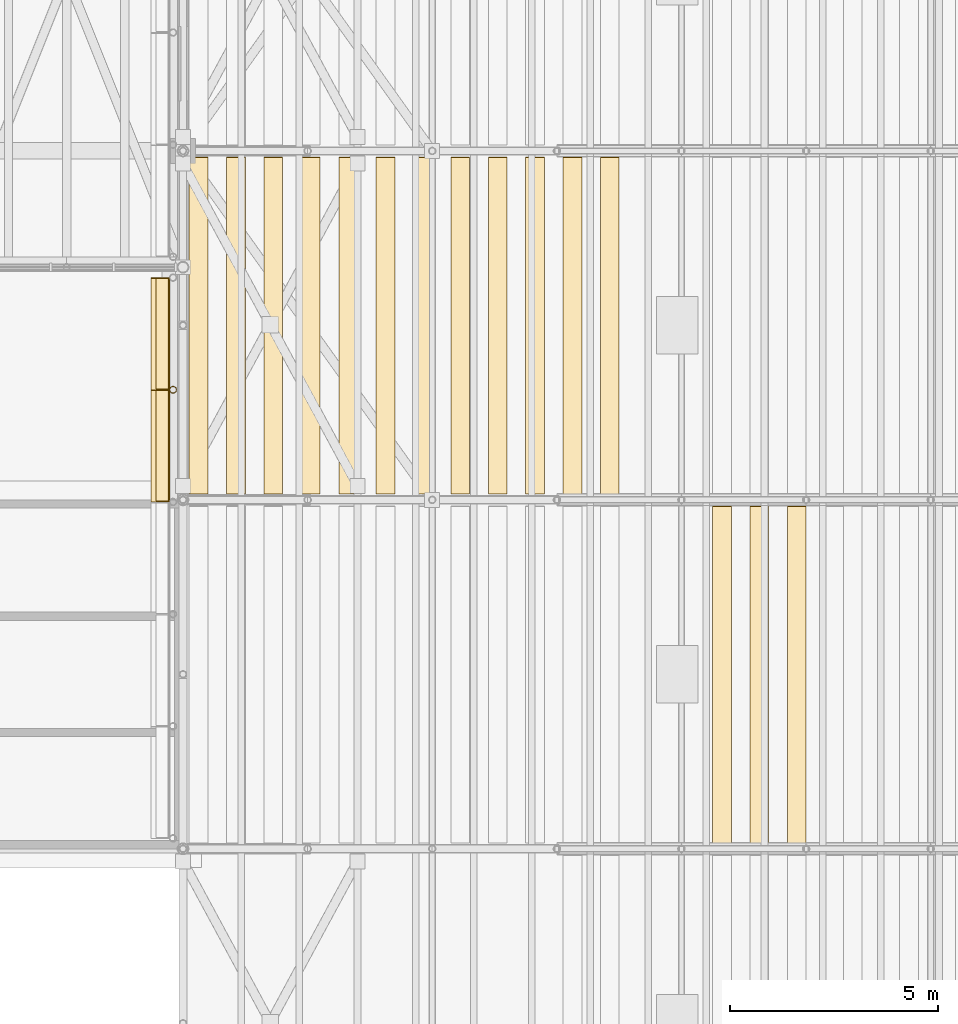
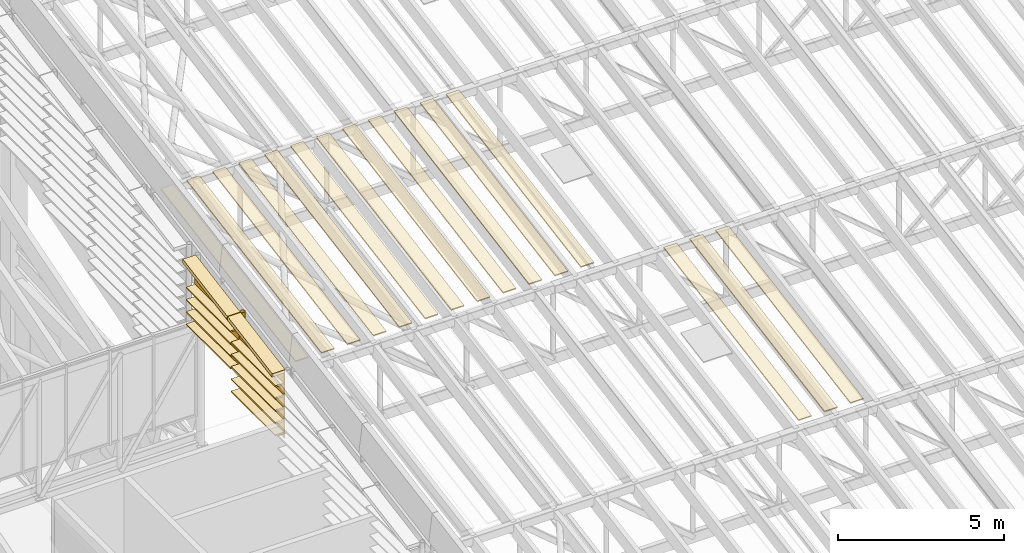
# One storey, part 79 of 91: 28 coverings, 1 shading device.
"""IFC4 building model written with IfcOpenShell, lengths in metres."""

from ifc_helpers import new_model, si_unit, direction, frame, origin, origin_2d, place, context, subcontext, project, spatial, polyline, rectangle, hollow_circle, outline, extrude, material, layer, layer_set, material_profile, profile_set, type_object, element, save


model = new_model("IFC4")

# Units and contexts
model_context = context("Model", 3, precision=1e-05, world=origin(), true_north=direction((0.0, 1.0)))
body_context = subcontext(model_context, "Body", "Model", "MODEL_VIEW")
ifc_project = project(units=[si_unit("LENGTHUNIT", "METRE"), si_unit("AREAUNIT", "SQUARE_METRE"), si_unit("VOLUMEUNIT", "CUBIC_METRE"), si_unit("PLANEANGLEUNIT", "RADIAN"), si_unit("MASSUNIT", "GRAM", prefix="KILO")], contexts=[model_context])

# Site, building, storey
site_placement = place(None, origin())
site = spatial("IfcSite", under=ifc_project, at=site_placement, CompositionType="ELEMENT")
building_placement = place(site_placement, origin())
building = spatial("IfcBuilding", under=site, at=building_placement, Name="Almond Square Museum", CompositionType="ELEMENT")
storey_placement = place(building_placement, frame((0.0, 0.0, 30.0)))
storey = spatial("IfcBuildingStorey", under=building, at=storey_placement, Name="L05", CompositionType="ELEMENT", Elevation=30.0)

# Coverings
ifc_material_1 = material(Name="Cedar timber roof board", Category="wood")
ifc_layer_1 = layer(ifc_material_1, 0.0400390625)
ifc_layer_set_1 = layer_set([ifc_layer_1], Name="Cedar timber roof board")
covering_type_1 = type_object("IfcCoveringType", Name="Hall roof board 450 x 40", PredefinedType="CLADDING", material=ifc_layer_set_1)
for number, where, z_axis, x_axis, name in (
    (1, (120.0, 75.449951171875, 10.8837890625), (0.0, -0.17238105195, 0.985030341121), (-1.0, 0.0, 0.0), "Hall roof board"),
    (2, (120.89990234375, 75.449951171875, 10.8837890625), (0.0, -0.17238105195, 0.985030341121), (-1.0, 0.0, 0.0), "Hall roof board"),
    (3, (121.800048828125, 75.449951171875, 10.8837890625), (0.0, -0.17238105195, 0.985030341121), (-1.0, 0.0, 0.0), "Hall roof board"),
):
    element("IfcCovering", number, at=place(storey_placement, frame(where, z_axis=z_axis, x_axis=x_axis)), inside=storey, type_object=covering_type_1, Name=name, PredefinedType="CLADDING", context=body_context, shape_type="SweptSolid", body=[
        extrude(outline(polyline([(0.0, 0.0), (0.449951171875, 0.0), (0.449951171875, 8.22294824584652), (0.0, 8.22294824584652), (0.0, 0.0)])), origin(), (0.0, 0.0, 1.0), 0.0400390625),
    ])
for number, where, z_axis, x_axis, name in (
    (4, (107.39990234375, 83.85009765625, 12.353759765625), (0.0, -0.17237601069, 0.985031223332), (-1.0, 0.0, 0.0), "Hall roof board"),
    (5, (108.300048828125, 83.85009765625, 12.353759765625), (0.0, -0.17237601069, 0.985031223332), (-1.0, 0.0, 0.0), "Hall roof board"),
    (6, (109.199951171875, 83.85009765625, 12.353759765625), (0.0, -0.17237601069, 0.985031223332), (-1.0, 0.0, 0.0), "Hall roof board"),
):
    element("IfcCovering", number, at=place(storey_placement, frame(where, z_axis=z_axis, x_axis=x_axis)), inside=storey, type_object=covering_type_1, Name=name, PredefinedType="CLADDING", context=body_context, shape_type="SweptSolid", body=[
        extrude(outline(polyline([(0.0, 0.0), (0.449951171875, 0.0), (0.449951171875, 8.223188731877341), (0.0, 8.223188731877341), (0.0, 0.0)])), origin(), (0.0, 0.0, 1.0), 0.0400390625),
    ])
covering_1_placement = place(storey_placement, frame((110.10009765625, 83.85009765625, 12.353759765625), z_axis=(0.0, -0.17237601069, 0.985031223332), x_axis=(-1.0, 0.0, 0.0)))
element("IfcCovering", 7, at=covering_1_placement, inside=storey, type_object=covering_type_1, Name="Hall roof board", PredefinedType="CLADDING", context=body_context, shape_type="SweptSolid", body=[
    extrude(outline(polyline([(0.0, 0.0), (0.4501953125, 0.0), (0.4501953125, 8.223188731877341), (0.0, 8.223188731877341), (0.0, 0.0)])), origin(), (0.0, 0.0, 1.0), 0.0400390625),
])
for number, where, z_axis, x_axis, name in (
    (8, (111.0, 83.85009765625, 12.353759765625), (0.0, -0.17237601069, 0.985031223332), (-1.0, 0.0, 0.0), "Hall roof board"),
    (9, (111.89990234375, 83.85009765625, 12.353759765625), (0.0, -0.17237601069, 0.985031223332), (-1.0, 0.0, 0.0), "Hall roof board"),
    (10, (112.800048828125, 83.85009765625, 12.353759765625), (0.0, -0.17237601069, 0.985031223332), (-1.0, 0.0, 0.0), "Hall roof board"),
    (11, (113.699951171875, 83.85009765625, 12.353759765625), (0.0, -0.17237601069, 0.985031223332), (-1.0, 0.0, 0.0), "Hall roof board"),
):
    element("IfcCovering", number, at=place(storey_placement, frame(where, z_axis=z_axis, x_axis=x_axis)), inside=storey, type_object=covering_type_1, Name=name, PredefinedType="CLADDING", context=body_context, shape_type="SweptSolid", body=[
        extrude(outline(polyline([(0.0, 0.0), (0.449951171875, 0.0), (0.449951171875, 8.223188731877341), (0.0, 8.223188731877341), (0.0, 0.0)])), origin(), (0.0, 0.0, 1.0), 0.0400390625),
    ])
covering_2_placement = place(storey_placement, frame((114.60009765625, 83.85009765625, 12.353759765625), z_axis=(0.0, -0.17237601069, 0.985031223332), x_axis=(-1.0, 0.0, 0.0)))
element("IfcCovering", 12, at=covering_2_placement, inside=storey, type_object=covering_type_1, Name="Hall roof board", PredefinedType="CLADDING", context=body_context, shape_type="SweptSolid", body=[
    extrude(outline(polyline([(0.0, 0.0), (0.4501953125, 0.0), (0.4501953125, 8.223188731877341), (0.0, 8.223188731877341), (0.0, 0.0)])), origin(), (0.0, 0.0, 1.0), 0.0400390625),
])
for number, where, z_axis, x_axis, name in (
    (13, (115.5, 83.85009765625, 12.353759765625), (0.0, -0.17237601069, 0.985031223332), (-1.0, 0.0, 0.0), "Hall roof board"),
    (14, (116.39990234375, 83.85009765625, 12.353759765625), (0.0, -0.17237601069, 0.985031223332), (-1.0, 0.0, 0.0), "Hall roof board"),
    (15, (117.300048828125, 83.85009765625, 12.353759765625), (0.0, -0.17237601069, 0.985031223332), (-1.0, 0.0, 0.0), "Hall roof board"),
):
    element("IfcCovering", number, at=place(storey_placement, frame(where, z_axis=z_axis, x_axis=x_axis)), inside=storey, type_object=covering_type_1, Name=name, PredefinedType="CLADDING", context=body_context, shape_type="SweptSolid", body=[
        extrude(outline(polyline([(0.0, 0.0), (0.449951171875, 0.0), (0.449951171875, 8.223188731877341), (0.0, 8.223188731877341), (0.0, 0.0)])), origin(), (0.0, 0.0, 1.0), 0.0400390625),
    ])

# Shading device
ifc_material_2 = material(Name="Structural steel S355", Category="steel")
ifc_material_profile_1 = material_profile(ifc_material_2, hollow_circle(Radius=0.084228515625, WallThickness=0.008056640625, at=origin_2d()))
ifc_profile_set_1 = profile_set([ifc_material_profile_1], Name="Structural steel S355")
shading_device_type = type_object("IfcShadingDeviceType", Name="Louvre post CHS 168.3 x 8", PredefinedType="USERDEFINED", material=ifc_profile_set_1)
shading_device_placement = place(storey_placement, frame((106.560791015625, 78.25, 8.37841796875), z_axis=(0.0, 0.0, 1.0), x_axis=(1.0, 0.0, 0.0)))
element("IfcShadingDevice", 16, at=shading_device_placement, inside=storey, type_object=shading_device_type, Name="Louvre screen post", ObjectType="POST", PredefinedType="USERDEFINED", context=body_context, shape_type="SweptSolid", body=[
    extrude(hollow_circle(Radius=0.084228515625, WallThickness=0.008056640625, at=origin_2d()), origin(), (0.0, 0.0, 1.0), 3.04541015625),
])

# Coverings
ifc_material_3 = material(Name="Cedar timber sheathing panel", Category="wood")
ifc_layer_2 = layer(ifc_material_3, 0.030029296875)
ifc_layer_set_2 = layer_set([ifc_layer_2], Name="Cedar timber sheathing panel")
covering_type_2 = type_object("IfcCoveringType", Name="Louvre rain-screen backing panel 30", PredefinedType="CLADDING", material=ifc_layer_set_2)
covering_3_placement = place(storey_placement, frame((106.463623046875, 75.56005859375, 8.42822265625), z_axis=(1.0, 0.0, 0.0), x_axis=(0.0, 1.0, 0.0)))
element("IfcCovering", 17, at=covering_3_placement, inside=storey, type_object=covering_type_2, Name="Louvre rain-screen backing panel W2 4", PredefinedType="CLADDING", context=body_context, shape_type="SweptSolid", body=[
    extrude(outline(polyline([(0.0, 0.0), (2.679931640625, 0.0), (2.679931640625, 2.383056640625), (0.0, 2.383056640625), (0.0, 0.0)])), frame((0.0, 0.0, -0.01513671875)), (0.0, 0.0, 1.0), 0.030029296875),
])
covering_4_placement = place(storey_placement, frame((106.463623046875, 78.260009765625, 9.25390625), z_axis=(1.0, 0.0, 0.0), x_axis=(0.0, 1.0, 0.0)))
element("IfcCovering", 18, at=covering_4_placement, inside=storey, type_object=covering_type_2, Name="Louvre rain-screen backing panel W2 5", PredefinedType="CLADDING", context=body_context, shape_type="SweptSolid", body=[
    extrude(outline(polyline([(0.0, 0.0), (2.679931640625, 0.0), (2.679931640625, 2.02978515625), (0.0, 2.02978515625), (0.0, 0.0)])), frame((0.0, 0.0, -0.01513671875)), (0.0, 0.0, 1.0), 0.030029296875),
])
ifc_material_4 = material(Name="Cedar timber louvre board", Category="wood")
ifc_material_profile_2 = material_profile(ifc_material_4, rectangle(XDim=0.300048828125, YDim=0.050048828125, at=origin_2d()))
ifc_profile_set_2 = profile_set([ifc_material_profile_2], Name="Cedar timber louvre board")
covering_type_3 = type_object("IfcCoveringType", Name="Louvre screen board 300 x 50", PredefinedType="CLADDING", material=ifc_profile_set_2)
for number, where, z_axis, x_axis, name in (
    (19, (106.302734375, 75.570068359375, 8.62841796875), (0.0, 1.0, 0.0), (-1.0, 0.0, 0.0), "Louvre screen board"),
    (20, (106.302734375, 75.570068359375, 9.078369140625), (0.0, 1.0, 0.0), (-1.0, 0.0, 0.0), "Louvre screen board"),
    (21, (106.302734375, 75.570068359375, 9.5283203125), (0.0, 1.0, 0.0), (-1.0, 0.0, 0.0), "Louvre screen board"),
    (22, (106.302734375, 75.570068359375, 9.978271484375), (0.0, 1.0, 0.0), (-1.0, 0.0, 0.0), "Louvre screen board"),
    (23, (106.302734375, 75.570068359375, 10.42822265625), (0.0, 1.0, 0.0), (-1.0, 0.0, 0.0), "Louvre screen board"),
    (24, (106.302734375, 78.27001953125, 9.453857421875), (0.0, 1.0, 0.0), (-1.0, 0.0, 0.0), "Louvre screen board"),
    (25, (106.302734375, 78.27001953125, 9.90380859375), (0.0, 1.0, 0.0), (-1.0, 0.0, 0.0), "Louvre screen board"),
    (26, (106.302734375, 78.27001953125, 10.353759765625), (0.0, 1.0, 0.0), (-1.0, 0.0, 0.0), "Louvre screen board"),
    (27, (106.302734375, 78.27001953125, 10.8037109375), (0.0, 1.0, 0.0), (-1.0, 0.0, 0.0), "Louvre screen board"),
):
    element("IfcCovering", number, at=place(storey_placement, frame(where, z_axis=z_axis, x_axis=x_axis)), inside=storey, type_object=covering_type_3, Name=name, PredefinedType="CLADDING", context=body_context, shape_type="SweptSolid", body=[
        extrude(rectangle(XDim=0.300048828125, YDim=0.050048828125, at=origin_2d()), origin(), (0.0, 0.0, 1.0), 2.659912109375),
    ])
ifc_material_5 = material(Name="Cedar timber louvre board", Category="wood")
ifc_material_profile_3 = material_profile(ifc_material_5, rectangle(XDim=0.449951171875, YDim=0.139892578125, at=origin_2d()))
ifc_profile_set_3 = profile_set([ifc_material_profile_3], Name="Cedar timber louvre board")
covering_type_4 = type_object("IfcCoveringType", Name="Louvre skin fascia 450 x 140", PredefinedType="CLADDING", material=ifc_profile_set_3)
for number, where, z_axis, x_axis, name in (
    (28, (106.255615234375, 75.56005859375, 10.88134765625), (0.0, 0.984816056222, 0.173601081242), (-1.0, 0.0, 0.0), "Louvre skin fascia"),
    (29, (106.255615234375, 78.260009765625, 11.353759765625), (0.0, 0.984816056222, 0.173601081242), (-1.0, 0.0, 0.0), "Louvre skin fascia"),
):
    element("IfcCovering", number, at=place(storey_placement, frame(where, z_axis=z_axis, x_axis=x_axis)), inside=storey, type_object=covering_type_4, Name=name, PredefinedType="CLADDING", context=body_context, shape_type="SweptSolid", body=[
        extrude(rectangle(XDim=0.449951171875, YDim=0.139892578125, at=origin_2d()), origin(), (0.0, 0.0, 1.0), 2.72119140625),
    ])

save(model, "model.ifc")
